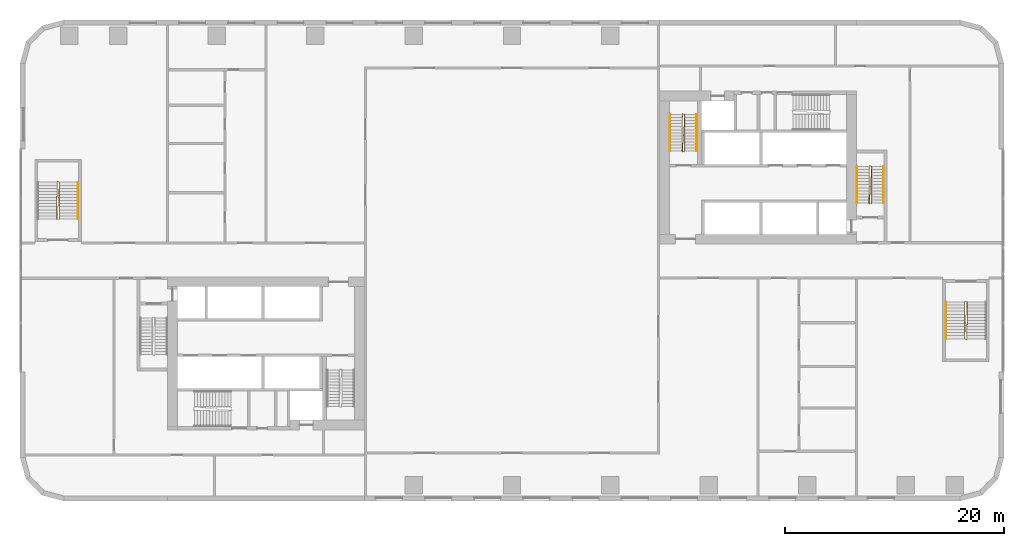
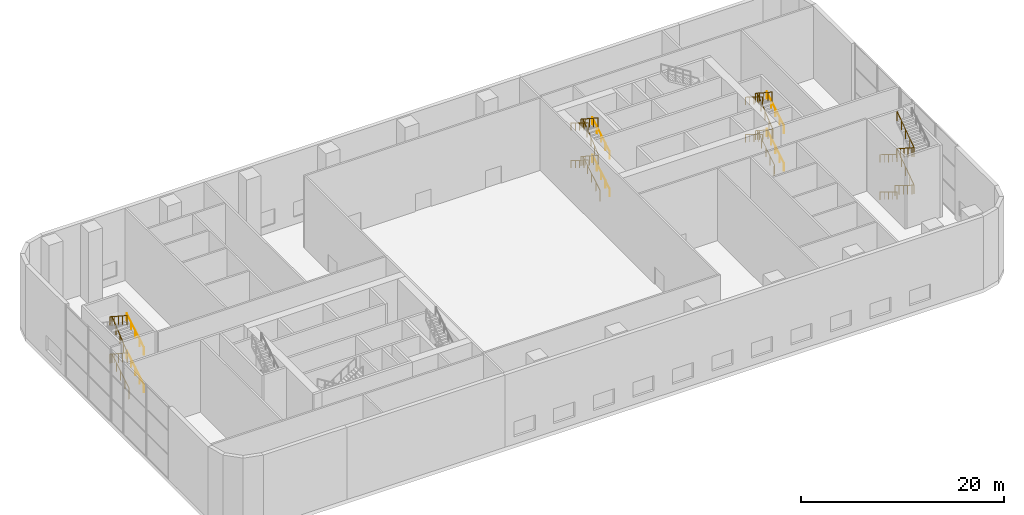
# One storey, part 23 of 24: 16 railings.
"""IFC4 building model written with IfcOpenShell, lengths in metres."""

from ifc_helpers import new_model, si_unit, direction, frame, origin, origin_2d, place, context, subcontext, project, spatial, circle, extrude, material, type_object, element, save


model = new_model("IFC4")

# Units and contexts
model_context = context("Model", 3, precision=1e-05, world=origin(), true_north=direction((0.0, 1.0)))
body_context = subcontext(model_context, "Body", "Model", "MODEL_VIEW")
ifc_project = project(units=[si_unit("LENGTHUNIT", "METRE"), si_unit("AREAUNIT", "SQUARE_METRE"), si_unit("VOLUMEUNIT", "CUBIC_METRE"), si_unit("PLANEANGLEUNIT", "RADIAN"), si_unit("MASSUNIT", "GRAM", prefix="KILO")], contexts=[model_context])

# Site, building, storey
site_placement = place(None, origin())
site = spatial("IfcSite", under=ifc_project, at=site_placement, CompositionType="ELEMENT")
building_placement = place(site_placement, origin())
building = spatial("IfcBuilding", under=site, at=building_placement, Name="Kajstack Hotel Tower", CompositionType="ELEMENT")
storey_placement = place(building_placement, frame((0.0, 0.0, 38.0)))
storey = spatial("IfcBuildingStorey", under=building, at=storey_placement, Name="L06", CompositionType="ELEMENT", Elevation=38.0)

# Railings
ifc_material = material(Name="Steel S355J2", Category="steel")
railing_type_1 = type_object("IfcRailingType", Name="Stair guard 1100", PredefinedType="GUARDRAIL", material=ifc_material)
railing_1_placement = place(storey_placement, frame((32.85009765625, 5.199951171875, 0.0)))
element("IfcRailing", 1, at=railing_1_placement, inside=storey, type_object=railing_type_1, Name="L06 E1 stair guard 1", PredefinedType="GUARDRAIL", context=body_context, shape_type="SweptSolid", body=[
    extrude(circle(Radius=0.02392578125, at=origin_2d()), frame((0.0, 0.0, 1.076171875), z_axis=(0.266417085129, 0.267723051232, 0.925929967433), x_axis=(-0.708833529934, 0.705375805398, 0.0)), (0.0, 0.0, 1.0), 0.18701171875),
    extrude(circle(Radius=0.02392578125, at=origin_2d()), frame((0.0498046875, 0.050048828125, 1.2490234375), z_axis=(0.0, 0.850623216509, 0.525775754039), x_axis=(-1.0, 0.0, 0.0)), (0.0, 0.0, 1.0), 3.9501953125),
    extrude(circle(Radius=0.02392578125, at=origin_2d()), frame((0.0498046875, 3.41015625, 3.326171875), z_axis=(-0.970351222016, 0.241699205484, 0.0), x_axis=(-0.241699205484, -0.970351222016, 0.0)), (0.0, 0.0, 1.0), 0.2060546875),
    extrude(circle(Radius=0.02392578125, at=origin_2d()), frame((-0.150146484375, 3.4599609375, 3.326171875), z_axis=(-0.012249917091, -0.834607765926, 0.550708467873), x_axis=(0.999892303572, -0.014675873289, 0.0)), (0.0, 0.0, 1.0), 4.085693359375),
    extrude(circle(Radius=0.02392578125, at=origin_2d()), frame((-0.2001953125, 0.050048828125, 5.576171875), z_axis=(0.707106781187, -0.707106781187, 0.0), x_axis=(0.707106781187, 0.707106781187, 0.0)), (0.0, 0.0, 1.0), 0.07080078125),
    extrude(circle(Radius=0.02392578125, at=origin_2d()), frame((-0.150146484375, 0.0, 5.576171875), z_axis=(0.048882636145, 0.833690673598, 0.55006394959), x_axis=(-0.998285445461, 0.058533489392, 0.0)), (0.0, 0.0, 1.0), 4.09033203125),
    extrude(circle(Radius=0.02392578125, at=origin_2d()), frame((0.0498046875, 3.41015625, 7.826171875), z_axis=(-0.970351222016, 0.241699205484, 0.0), x_axis=(-0.241699205484, -0.970351222016, 0.0)), (0.0, 0.0, 1.0), 0.2060546875),
    extrude(circle(Radius=0.02392578125, at=origin_2d()), frame((-0.150146484375, 3.4599609375, 7.826171875), z_axis=(-0.012249917091, -0.834607765926, 0.550708467873), x_axis=(0.999892303572, -0.014675873289, 0.0)), (0.0, 0.0, 1.0), 4.085693359375),
    extrude(circle(Radius=0.02099609375, at=origin_2d()), origin(), (0.0, 0.0, 1.0), 1.052001953125),
    extrude(circle(Radius=0.02099609375, at=origin_2d()), frame((0.0498046875, 0.050048828125, 0.173095703125)), (0.0, 0.0, 1.0), 1.052001953125),
    extrude(circle(Radius=0.02099609375, at=origin_2d()), frame((0.0498046875, 0.89013671875, 0.6923828125)), (0.0, 0.0, 1.0), 1.052001953125),
    extrude(circle(Radius=0.02099609375, at=origin_2d()), frame((0.0498046875, 1.72998046875, 1.21142578125)), (0.0, 0.0, 1.0), 1.052001953125),
    extrude(circle(Radius=0.02099609375, at=origin_2d()), frame((0.0498046875, 2.570068359375, 1.730712890625)), (0.0, 0.0, 1.0), 1.052001953125),
    extrude(circle(Radius=0.02099609375, at=origin_2d()), frame((0.0498046875, 3.41015625, 2.25)), (0.0, 0.0, 1.0), 1.052001953125),
    extrude(circle(Radius=0.02099609375, at=origin_2d()), frame((-0.150146484375, 3.4599609375, 2.25)), (0.0, 0.0, 1.0), 1.052001953125),
    extrude(circle(Radius=0.02099609375, at=origin_2d()), frame((-0.16259765625, 2.607421875, 2.8125)), (0.0, 0.0, 1.0), 1.052001953125),
    extrude(circle(Radius=0.02099609375, at=origin_2d()), frame((-0.17529296875, 1.7548828125, 3.375)), (0.0, 0.0, 1.0), 1.052001953125),
    extrude(circle(Radius=0.02099609375, at=origin_2d()), frame((-0.187744140625, 0.902587890625, 3.9375)), (0.0, 0.0, 1.0), 1.052001953125),
    extrude(circle(Radius=0.02099609375, at=origin_2d()), frame((-0.2001953125, 0.050048828125, 4.5)), (0.0, 0.0, 1.0), 1.052001953125),
    extrude(circle(Radius=0.02099609375, at=origin_2d()), frame((-0.150146484375, 0.0, 4.5)), (0.0, 0.0, 1.0), 1.052001953125),
    extrude(circle(Radius=0.02099609375, at=origin_2d()), frame((-0.10009765625, 0.8525390625, 5.0625)), (0.0, 0.0, 1.0), 1.052001953125),
    extrude(circle(Radius=0.02099609375, at=origin_2d()), frame((-0.05029296875, 1.705078125, 5.625)), (0.0, 0.0, 1.0), 1.052001953125),
    extrude(circle(Radius=0.02099609375, at=origin_2d()), frame((-0.000244140625, 2.5576171875, 6.1875)), (0.0, 0.0, 1.0), 1.052001953125),
    extrude(circle(Radius=0.02099609375, at=origin_2d()), frame((0.0498046875, 3.41015625, 6.75)), (0.0, 0.0, 1.0), 1.052001953125),
    extrude(circle(Radius=0.02099609375, at=origin_2d()), frame((-0.150146484375, 3.4599609375, 6.75)), (0.0, 0.0, 1.0), 1.052001953125),
    extrude(circle(Radius=0.02099609375, at=origin_2d()), frame((-0.16259765625, 2.607421875, 7.3125)), (0.0, 0.0, 1.0), 1.052001953125),
    extrude(circle(Radius=0.02099609375, at=origin_2d()), frame((-0.17529296875, 1.7548828125, 7.875)), (0.0, 0.0, 1.0), 1.052001953125),
    extrude(circle(Radius=0.02099609375, at=origin_2d()), frame((-0.187744140625, 0.902587890625, 8.4375)), (0.0, 0.0, 1.0), 1.052001953125),
    extrude(circle(Radius=0.02099609375, at=origin_2d()), frame((-0.2001953125, 0.050048828125, 9.0)), (0.0, 0.0, 1.0), 1.052001953125),
])
railing_2_placement = place(storey_placement, frame((15.75, 9.949951171875, 0.0)))
element("IfcRailing", 2, at=railing_2_placement, inside=storey, type_object=railing_type_1, Name="L06 E2 stair guard 1", PredefinedType="GUARDRAIL", context=body_context, shape_type="SweptSolid", body=[
    extrude(circle(Radius=0.02392578125, at=origin_2d()), frame((0.0, 0.0, 1.076171875), z_axis=(0.267629722418, 0.267629722418, 0.925607186314), x_axis=(-0.707106781187, 0.707106781187, 0.0)), (0.0, 0.0, 1.0), 0.18701171875),
    extrude(circle(Radius=0.02392578125, at=origin_2d()), frame((0.050048828125, 0.050048828125, 1.2490234375), z_axis=(0.0, 0.850623216509, 0.525775754039), x_axis=(-1.0, 0.0, 0.0)), (0.0, 0.0, 1.0), 3.9501953125),
    extrude(circle(Radius=0.02392578125, at=origin_2d()), frame((0.050048828125, 3.41015625, 3.326171875), z_axis=(-0.970351222016, 0.241699205484, 0.0), x_axis=(-0.241699205484, -0.970351222016, 0.0)), (0.0, 0.0, 1.0), 0.2060546875),
    extrude(circle(Radius=0.02392578125, at=origin_2d()), frame((-0.14990234375, 3.4599609375, 3.326171875), z_axis=(-0.012249917091, -0.834607765926, 0.550708467873), x_axis=(0.999892303572, -0.014675873289, 0.0)), (0.0, 0.0, 1.0), 4.085693359375),
    extrude(circle(Radius=0.02392578125, at=origin_2d()), frame((-0.199951171875, 0.050048828125, 5.576171875), z_axis=(0.707106781187, -0.707106781187, 0.0), x_axis=(0.707106781187, 0.707106781187, 0.0)), (0.0, 0.0, 1.0), 0.07080078125),
    extrude(circle(Radius=0.02392578125, at=origin_2d()), frame((-0.14990234375, 0.0, 5.576171875), z_axis=(0.048882636145, 0.833690673598, 0.55006394959), x_axis=(-0.998285445461, 0.058533489392, 0.0)), (0.0, 0.0, 1.0), 4.09033203125),
    extrude(circle(Radius=0.02392578125, at=origin_2d()), frame((0.050048828125, 3.41015625, 7.826171875), z_axis=(-0.970351222016, 0.241699205484, 0.0), x_axis=(-0.241699205484, -0.970351222016, 0.0)), (0.0, 0.0, 1.0), 0.2060546875),
    extrude(circle(Radius=0.02392578125, at=origin_2d()), frame((-0.14990234375, 3.4599609375, 7.826171875), z_axis=(-0.012249917091, -0.834607765926, 0.550708467873), x_axis=(0.999892303572, -0.014675873289, 0.0)), (0.0, 0.0, 1.0), 4.085693359375),
    extrude(circle(Radius=0.02099609375, at=origin_2d()), origin(), (0.0, 0.0, 1.0), 1.052001953125),
    extrude(circle(Radius=0.02099609375, at=origin_2d()), frame((0.050048828125, 0.050048828125, 0.173095703125)), (0.0, 0.0, 1.0), 1.052001953125),
    extrude(circle(Radius=0.02099609375, at=origin_2d()), frame((0.050048828125, 0.89013671875, 0.6923828125)), (0.0, 0.0, 1.0), 1.052001953125),
    extrude(circle(Radius=0.02099609375, at=origin_2d()), frame((0.050048828125, 1.72998046875, 1.21142578125)), (0.0, 0.0, 1.0), 1.052001953125),
    extrude(circle(Radius=0.02099609375, at=origin_2d()), frame((0.050048828125, 2.570068359375, 1.730712890625)), (0.0, 0.0, 1.0), 1.052001953125),
    extrude(circle(Radius=0.02099609375, at=origin_2d()), frame((0.050048828125, 3.41015625, 2.25)), (0.0, 0.0, 1.0), 1.052001953125),
    extrude(circle(Radius=0.02099609375, at=origin_2d()), frame((-0.14990234375, 3.4599609375, 2.25)), (0.0, 0.0, 1.0), 1.052001953125),
    extrude(circle(Radius=0.02099609375, at=origin_2d()), frame((-0.162353515625, 2.607421875, 2.8125)), (0.0, 0.0, 1.0), 1.052001953125),
    extrude(circle(Radius=0.02099609375, at=origin_2d()), frame((-0.1748046875, 1.7548828125, 3.375)), (0.0, 0.0, 1.0), 1.052001953125),
    extrude(circle(Radius=0.02099609375, at=origin_2d()), frame((-0.1875, 0.902587890625, 3.9375)), (0.0, 0.0, 1.0), 1.052001953125),
    extrude(circle(Radius=0.02099609375, at=origin_2d()), frame((-0.199951171875, 0.050048828125, 4.5)), (0.0, 0.0, 1.0), 1.052001953125),
    extrude(circle(Radius=0.02099609375, at=origin_2d()), frame((-0.14990234375, 0.0, 4.5)), (0.0, 0.0, 1.0), 1.052001953125),
    extrude(circle(Radius=0.02099609375, at=origin_2d()), frame((-0.099853515625, 0.8525390625, 5.0625)), (0.0, 0.0, 1.0), 1.052001953125),
    extrude(circle(Radius=0.02099609375, at=origin_2d()), frame((-0.0498046875, 1.705078125, 5.625)), (0.0, 0.0, 1.0), 1.052001953125),
    extrude(circle(Radius=0.02099609375, at=origin_2d()), frame((0.0, 2.5576171875, 6.1875)), (0.0, 0.0, 1.0), 1.052001953125),
    extrude(circle(Radius=0.02099609375, at=origin_2d()), frame((0.050048828125, 3.41015625, 6.75)), (0.0, 0.0, 1.0), 1.052001953125),
    extrude(circle(Radius=0.02099609375, at=origin_2d()), frame((-0.14990234375, 3.4599609375, 6.75)), (0.0, 0.0, 1.0), 1.052001953125),
    extrude(circle(Radius=0.02099609375, at=origin_2d()), frame((-0.162353515625, 2.607421875, 7.3125)), (0.0, 0.0, 1.0), 1.052001953125),
    extrude(circle(Radius=0.02099609375, at=origin_2d()), frame((-0.1748046875, 1.7548828125, 7.875)), (0.0, 0.0, 1.0), 1.052001953125),
    extrude(circle(Radius=0.02099609375, at=origin_2d()), frame((-0.1875, 0.902587890625, 8.4375)), (0.0, 0.0, 1.0), 1.052001953125),
    extrude(circle(Radius=0.02099609375, at=origin_2d()), frame((-0.199951171875, 0.050048828125, 9.0)), (0.0, 0.0, 1.0), 1.052001953125),
])
railing_3_placement = place(storey_placement, frame((-41.449951171875, 3.75, 0.0)))
element("IfcRailing", 3, at=railing_3_placement, inside=storey, type_object=railing_type_1, Name="L06 P1 stair guard 1", PredefinedType="GUARDRAIL", context=body_context, shape_type="SweptSolid", body=[
    extrude(circle(Radius=0.02392578125, at=origin_2d()), frame((0.0, 0.0, 1.076171875), z_axis=(0.267629722418, 0.267629722418, 0.925607186314), x_axis=(-0.707106781187, 0.707106781187, 0.0)), (0.0, 0.0, 1.0), 0.18701171875),
    extrude(circle(Radius=0.02392578125, at=origin_2d()), frame((0.050048828125, 0.050048828125, 1.2490234375), z_axis=(0.0, 0.850606129759, 0.525803396734), x_axis=(-1.0, 0.0, 0.0)), (0.0, 0.0, 1.0), 3.949951171875),
    extrude(circle(Radius=0.02392578125, at=origin_2d()), frame((0.050048828125, 3.409912109375, 3.326171875), z_axis=(-0.970142500145, 0.242535625036, 0.0), x_axis=(-0.242535625036, -0.970142500145, 0.0)), (0.0, 0.0, 1.0), 0.206298828125),
    extrude(circle(Radius=0.02392578125, at=origin_2d()), frame((-0.150146484375, 3.4599609375, 3.326171875), z_axis=(-0.0121901703, -0.834608375372, 0.55070887001), x_axis=(0.999893351539, -0.01460429897, 0.0)), (0.0, 0.0, 1.0), 4.085693359375),
    extrude(circle(Radius=0.02392578125, at=origin_2d()), frame((-0.199951171875, 0.050048828125, 5.576171875), z_axis=(0.705375805398, -0.708833529934, 0.0), x_axis=(0.708833529934, 0.705375805398, 0.0)), (0.0, 0.0, 1.0), 0.070556640625),
    extrude(circle(Radius=0.02392578125, at=origin_2d()), frame((-0.150146484375, 0.0, 5.576171875), z_axis=(0.04894461444, 0.833670036442, 0.550089715461), x_axis=(-0.998281021265, 0.05860889507, 0.0)), (0.0, 0.0, 1.0), 4.09033203125),
    extrude(circle(Radius=0.02392578125, at=origin_2d()), frame((0.050048828125, 3.409912109375, 7.826171875), z_axis=(-0.970142500145, 0.242535625036, 0.0), x_axis=(-0.242535625036, -0.970142500145, 0.0)), (0.0, 0.0, 1.0), 0.206298828125),
    extrude(circle(Radius=0.02392578125, at=origin_2d()), frame((-0.150146484375, 3.4599609375, 7.826171875), z_axis=(-0.0121901703, -0.834608375372, 0.55070887001), x_axis=(0.999893351539, -0.01460429897, 0.0)), (0.0, 0.0, 1.0), 4.085693359375),
    extrude(circle(Radius=0.02099609375, at=origin_2d()), origin(), (0.0, 0.0, 1.0), 1.052001953125),
    extrude(circle(Radius=0.02099609375, at=origin_2d()), frame((0.050048828125, 0.050048828125, 0.173095703125)), (0.0, 0.0, 1.0), 1.052001953125),
    extrude(circle(Radius=0.02099609375, at=origin_2d()), frame((0.050048828125, 0.89013671875, 0.6923828125)), (0.0, 0.0, 1.0), 1.052001953125),
    extrude(circle(Radius=0.02099609375, at=origin_2d()), frame((0.050048828125, 1.72998046875, 1.21142578125)), (0.0, 0.0, 1.0), 1.052001953125),
    extrude(circle(Radius=0.02099609375, at=origin_2d()), frame((0.050048828125, 2.56982421875, 1.730712890625)), (0.0, 0.0, 1.0), 1.052001953125),
    extrude(circle(Radius=0.02099609375, at=origin_2d()), frame((0.050048828125, 3.409912109375, 2.25)), (0.0, 0.0, 1.0), 1.052001953125),
    extrude(circle(Radius=0.02099609375, at=origin_2d()), frame((-0.150146484375, 3.4599609375, 2.25)), (0.0, 0.0, 1.0), 1.052001953125),
    extrude(circle(Radius=0.02099609375, at=origin_2d()), frame((-0.16259765625, 2.607421875, 2.8125)), (0.0, 0.0, 1.0), 1.052001953125),
    extrude(circle(Radius=0.02099609375, at=origin_2d()), frame((-0.175048828125, 1.7548828125, 3.375)), (0.0, 0.0, 1.0), 1.052001953125),
    extrude(circle(Radius=0.02099609375, at=origin_2d()), frame((-0.1875, 0.902587890625, 3.9375)), (0.0, 0.0, 1.0), 1.052001953125),
    extrude(circle(Radius=0.02099609375, at=origin_2d()), frame((-0.199951171875, 0.050048828125, 4.5)), (0.0, 0.0, 1.0), 1.052001953125),
    extrude(circle(Radius=0.02099609375, at=origin_2d()), frame((-0.150146484375, 0.0, 4.5)), (0.0, 0.0, 1.0), 1.052001953125),
    extrude(circle(Radius=0.02099609375, at=origin_2d()), frame((-0.10009765625, 0.8525390625, 5.0625)), (0.0, 0.0, 1.0), 1.052001953125),
    extrude(circle(Radius=0.02099609375, at=origin_2d()), frame((-0.050048828125, 1.705078125, 5.625)), (0.0, 0.0, 1.0), 1.052001953125),
    extrude(circle(Radius=0.02099609375, at=origin_2d()), frame((0.0, 2.557373046875, 6.1875)), (0.0, 0.0, 1.0), 1.052001953125),
    extrude(circle(Radius=0.02099609375, at=origin_2d()), frame((0.050048828125, 3.409912109375, 6.75)), (0.0, 0.0, 1.0), 1.052001953125),
    extrude(circle(Radius=0.02099609375, at=origin_2d()), frame((-0.150146484375, 3.4599609375, 6.75)), (0.0, 0.0, 1.0), 1.052001953125),
    extrude(circle(Radius=0.02099609375, at=origin_2d()), frame((-0.16259765625, 2.607421875, 7.3125)), (0.0, 0.0, 1.0), 1.052001953125),
    extrude(circle(Radius=0.02099609375, at=origin_2d()), frame((-0.175048828125, 1.7548828125, 7.875)), (0.0, 0.0, 1.0), 1.052001953125),
    extrude(circle(Radius=0.02099609375, at=origin_2d()), frame((-0.1875, 0.902587890625, 8.4375)), (0.0, 0.0, 1.0), 1.052001953125),
    extrude(circle(Radius=0.02099609375, at=origin_2d()), frame((-0.199951171875, 0.050048828125, 9.0)), (0.0, 0.0, 1.0), 1.052001953125),
])
railing_4_placement = place(storey_placement, frame((41.449951171875, -3.75, 0.0)))
element("IfcRailing", 4, at=railing_4_placement, inside=storey, type_object=railing_type_1, Name="L06 P2 stair guard 1", PredefinedType="GUARDRAIL", context=body_context, shape_type="SweptSolid", body=[
    extrude(circle(Radius=0.02392578125, at=origin_2d()), frame((0.0, 0.0, 1.076171875), z_axis=(-0.267629722418, -0.267629722418, 0.925607186314), x_axis=(0.707106781187, -0.707106781187, 0.0)), (0.0, 0.0, 1.0), 0.18701171875),
    extrude(circle(Radius=0.02392578125, at=origin_2d()), frame((-0.050048828125, -0.050048828125, 1.2490234375), z_axis=(0.0, -0.850606129759, 0.525803396734), x_axis=(1.0, 0.0, 0.0)), (0.0, 0.0, 1.0), 3.949951171875),
    extrude(circle(Radius=0.02392578125, at=origin_2d()), frame((-0.050048828125, -3.409912109375, 3.326171875), z_axis=(0.970142500145, -0.242535625036, 0.0), x_axis=(0.242535625036, 0.970142500145, 0.0)), (0.0, 0.0, 1.0), 0.206298828125),
    extrude(circle(Radius=0.02392578125, at=origin_2d()), frame((0.150146484375, -3.4599609375, 3.326171875), z_axis=(0.0121901703, 0.834608375372, 0.55070887001), x_axis=(-0.999893351539, 0.01460429897, 0.0)), (0.0, 0.0, 1.0), 4.085693359375),
    extrude(circle(Radius=0.02392578125, at=origin_2d()), frame((0.199951171875, -0.050048828125, 5.576171875), z_axis=(-0.705375805398, 0.708833529934, 0.0), x_axis=(-0.708833529934, -0.705375805398, 0.0)), (0.0, 0.0, 1.0), 0.070556640625),
    extrude(circle(Radius=0.02392578125, at=origin_2d()), frame((0.150146484375, 0.0, 5.576171875), z_axis=(-0.04894461444, -0.833670036442, 0.550089715461), x_axis=(0.998281021265, -0.05860889507, 0.0)), (0.0, 0.0, 1.0), 4.09033203125),
    extrude(circle(Radius=0.02392578125, at=origin_2d()), frame((-0.050048828125, -3.409912109375, 7.826171875), z_axis=(0.970142500145, -0.242535625036, 0.0), x_axis=(0.242535625036, 0.970142500145, 0.0)), (0.0, 0.0, 1.0), 0.206298828125),
    extrude(circle(Radius=0.02392578125, at=origin_2d()), frame((0.150146484375, -3.4599609375, 7.826171875), z_axis=(0.0121901703, 0.834608375372, 0.55070887001), x_axis=(-0.999893351539, 0.01460429897, 0.0)), (0.0, 0.0, 1.0), 4.085693359375),
    extrude(circle(Radius=0.02099609375, at=origin_2d()), origin(), (0.0, 0.0, 1.0), 1.052001953125),
    extrude(circle(Radius=0.02099609375, at=origin_2d()), frame((-0.050048828125, -0.050048828125, 0.173095703125)), (0.0, 0.0, 1.0), 1.052001953125),
    extrude(circle(Radius=0.02099609375, at=origin_2d()), frame((-0.050048828125, -0.89013671875, 0.6923828125)), (0.0, 0.0, 1.0), 1.052001953125),
    extrude(circle(Radius=0.02099609375, at=origin_2d()), frame((-0.050048828125, -1.72998046875, 1.21142578125)), (0.0, 0.0, 1.0), 1.052001953125),
    extrude(circle(Radius=0.02099609375, at=origin_2d()), frame((-0.050048828125, -2.56982421875, 1.730712890625)), (0.0, 0.0, 1.0), 1.052001953125),
    extrude(circle(Radius=0.02099609375, at=origin_2d()), frame((-0.050048828125, -3.409912109375, 2.25)), (0.0, 0.0, 1.0), 1.052001953125),
    extrude(circle(Radius=0.02099609375, at=origin_2d()), frame((0.150146484375, -3.4599609375, 2.25)), (0.0, 0.0, 1.0), 1.052001953125),
    extrude(circle(Radius=0.02099609375, at=origin_2d()), frame((0.16259765625, -2.607421875, 2.8125)), (0.0, 0.0, 1.0), 1.052001953125),
    extrude(circle(Radius=0.02099609375, at=origin_2d()), frame((0.175048828125, -1.7548828125, 3.375)), (0.0, 0.0, 1.0), 1.052001953125),
    extrude(circle(Radius=0.02099609375, at=origin_2d()), frame((0.1875, -0.902587890625, 3.9375)), (0.0, 0.0, 1.0), 1.052001953125),
    extrude(circle(Radius=0.02099609375, at=origin_2d()), frame((0.199951171875, -0.050048828125, 4.5)), (0.0, 0.0, 1.0), 1.052001953125),
    extrude(circle(Radius=0.02099609375, at=origin_2d()), frame((0.150146484375, 0.0, 4.5)), (0.0, 0.0, 1.0), 1.052001953125),
    extrude(circle(Radius=0.02099609375, at=origin_2d()), frame((0.10009765625, -0.8525390625, 5.0625)), (0.0, 0.0, 1.0), 1.052001953125),
    extrude(circle(Radius=0.02099609375, at=origin_2d()), frame((0.050048828125, -1.705078125, 5.625)), (0.0, 0.0, 1.0), 1.052001953125),
    extrude(circle(Radius=0.02099609375, at=origin_2d()), frame((0.0, -2.557373046875, 6.1875)), (0.0, 0.0, 1.0), 1.052001953125),
    extrude(circle(Radius=0.02099609375, at=origin_2d()), frame((-0.050048828125, -3.409912109375, 6.75)), (0.0, 0.0, 1.0), 1.052001953125),
    extrude(circle(Radius=0.02099609375, at=origin_2d()), frame((0.150146484375, -3.4599609375, 6.75)), (0.0, 0.0, 1.0), 1.052001953125),
    extrude(circle(Radius=0.02099609375, at=origin_2d()), frame((0.16259765625, -2.607421875, 7.3125)), (0.0, 0.0, 1.0), 1.052001953125),
    extrude(circle(Radius=0.02099609375, at=origin_2d()), frame((0.175048828125, -1.7548828125, 7.875)), (0.0, 0.0, 1.0), 1.052001953125),
    extrude(circle(Radius=0.02099609375, at=origin_2d()), frame((0.1875, -0.902587890625, 8.4375)), (0.0, 0.0, 1.0), 1.052001953125),
    extrude(circle(Radius=0.02099609375, at=origin_2d()), frame((0.199951171875, -0.050048828125, 9.0)), (0.0, 0.0, 1.0), 1.052001953125),
])
railing_type_2 = type_object("IfcRailingType", Name="Stair handrail 900", PredefinedType="HANDRAIL", material=ifc_material)
railing_5_placement = place(storey_placement, frame((34.0, 5.25, 0.173095703125)))
element("IfcRailing", 5, at=railing_5_placement, inside=storey, type_object=railing_type_2, Name="L06 E1 stair handrail 1", PredefinedType="HANDRAIL", context=body_context, shape_type="SweptSolid", body=[
    extrude(circle(Radius=0.02392578125, at=origin_2d()), frame((0.0, 0.0, 0.8759765625), z_axis=(0.0, 0.850623216509, 0.525775754039), x_axis=(-1.0, 0.0, 0.0)), (0.0, 0.0, 1.0), 3.9501953125),
    extrude(circle(Radius=0.02099609375, at=origin_2d()), origin(), (0.0, 0.0, 1.0), 0.851806640625),
    extrude(circle(Radius=0.02099609375, at=origin_2d()), frame((0.0, 0.840087890625, 0.519287109375)), (0.0, 0.0, 1.0), 0.851806640625),
    extrude(circle(Radius=0.02099609375, at=origin_2d()), frame((0.0, 1.68017578125, 1.03857421875)), (0.0, 0.0, 1.0), 0.851806640625),
    extrude(circle(Radius=0.02099609375, at=origin_2d()), frame((0.0, 2.52001953125, 1.5576171875)), (0.0, 0.0, 1.0), 0.851806640625),
    extrude(circle(Radius=0.02099609375, at=origin_2d()), frame((0.0, 3.360107421875, 2.076904296875)), (0.0, 0.0, 1.0), 0.851806640625),
])
railing_6_placement = place(storey_placement, frame((31.550048828125, 8.610107421875, 2.423095703125)))
element("IfcRailing", 6, at=railing_6_placement, inside=storey, type_object=railing_type_2, Name="L06 E1 stair handrail 2", PredefinedType="HANDRAIL", context=body_context, shape_type="SweptSolid", body=[
    extrude(circle(Radius=0.02392578125, at=origin_2d()), frame((0.0, 0.0, 0.8759765625), z_axis=(0.0, -0.850623216509, 0.525775754039), x_axis=(1.0, 0.0, 0.0)), (0.0, 0.0, 1.0), 3.9501953125),
    extrude(circle(Radius=0.02099609375, at=origin_2d()), origin(), (0.0, 0.0, 1.0), 0.851806640625),
    extrude(circle(Radius=0.02099609375, at=origin_2d()), frame((0.0, -0.840087890625, 0.519287109375)), (0.0, 0.0, 1.0), 0.851806640625),
    extrude(circle(Radius=0.02099609375, at=origin_2d()), frame((0.0, -1.68017578125, 1.03857421875)), (0.0, 0.0, 1.0), 0.851806640625),
    extrude(circle(Radius=0.02099609375, at=origin_2d()), frame((0.0, -2.52001953125, 1.5576171875)), (0.0, 0.0, 1.0), 0.851806640625),
    extrude(circle(Radius=0.02099609375, at=origin_2d()), frame((0.0, -3.360107421875, 2.076904296875)), (0.0, 0.0, 1.0), 0.851806640625),
])
railing_7_placement = place(storey_placement, frame((34.0, 5.25, 4.673095703125)))
element("IfcRailing", 7, at=railing_7_placement, inside=storey, type_object=railing_type_2, Name="L06 E1 stair handrail 3", PredefinedType="HANDRAIL", context=body_context, shape_type="SweptSolid", body=[
    extrude(circle(Radius=0.02392578125, at=origin_2d()), frame((0.0, 0.0, 0.8759765625), z_axis=(0.0, 0.850623216509, 0.525775754039), x_axis=(-1.0, 0.0, 0.0)), (0.0, 0.0, 1.0), 3.9501953125),
    extrude(circle(Radius=0.02099609375, at=origin_2d()), origin(), (0.0, 0.0, 1.0), 0.851806640625),
    extrude(circle(Radius=0.02099609375, at=origin_2d()), frame((0.0, 0.840087890625, 0.519287109375)), (0.0, 0.0, 1.0), 0.851806640625),
    extrude(circle(Radius=0.02099609375, at=origin_2d()), frame((0.0, 1.68017578125, 1.03857421875)), (0.0, 0.0, 1.0), 0.851806640625),
    extrude(circle(Radius=0.02099609375, at=origin_2d()), frame((0.0, 2.52001953125, 1.5576171875)), (0.0, 0.0, 1.0), 0.851806640625),
    extrude(circle(Radius=0.02099609375, at=origin_2d()), frame((0.0, 3.360107421875, 2.076904296875)), (0.0, 0.0, 1.0), 0.851806640625),
])
railing_8_placement = place(storey_placement, frame((31.550048828125, 8.610107421875, 6.923095703125)))
element("IfcRailing", 8, at=railing_8_placement, inside=storey, type_object=railing_type_2, Name="L06 E1 stair handrail 4", PredefinedType="HANDRAIL", context=body_context, shape_type="SweptSolid", body=[
    extrude(circle(Radius=0.02392578125, at=origin_2d()), frame((0.0, 0.0, 0.8759765625), z_axis=(0.0, -0.850623216509, 0.525775754039), x_axis=(1.0, 0.0, 0.0)), (0.0, 0.0, 1.0), 3.9501953125),
    extrude(circle(Radius=0.02099609375, at=origin_2d()), origin(), (0.0, 0.0, 1.0), 0.851806640625),
    extrude(circle(Radius=0.02099609375, at=origin_2d()), frame((0.0, -0.840087890625, 0.519287109375)), (0.0, 0.0, 1.0), 0.851806640625),
    extrude(circle(Radius=0.02099609375, at=origin_2d()), frame((0.0, -1.68017578125, 1.03857421875)), (0.0, 0.0, 1.0), 0.851806640625),
    extrude(circle(Radius=0.02099609375, at=origin_2d()), frame((0.0, -2.52001953125, 1.5576171875)), (0.0, 0.0, 1.0), 0.851806640625),
    extrude(circle(Radius=0.02099609375, at=origin_2d()), frame((0.0, -3.360107421875, 2.076904296875)), (0.0, 0.0, 1.0), 0.851806640625),
])
railing_9_placement = place(storey_placement, frame((16.89990234375, 10.0, 0.173095703125)))
element("IfcRailing", 9, at=railing_9_placement, inside=storey, type_object=railing_type_2, Name="L06 E2 stair handrail 1", PredefinedType="HANDRAIL", context=body_context, shape_type="SweptSolid", body=[
    extrude(circle(Radius=0.02392578125, at=origin_2d()), frame((0.0, 0.0, 0.8759765625), z_axis=(0.0, 0.850623216509, 0.525775754039), x_axis=(-1.0, 0.0, 0.0)), (0.0, 0.0, 1.0), 3.9501953125),
    extrude(circle(Radius=0.02099609375, at=origin_2d()), origin(), (0.0, 0.0, 1.0), 0.851806640625),
    extrude(circle(Radius=0.02099609375, at=origin_2d()), frame((0.0, 0.840087890625, 0.519287109375)), (0.0, 0.0, 1.0), 0.851806640625),
    extrude(circle(Radius=0.02099609375, at=origin_2d()), frame((0.0, 1.68017578125, 1.03857421875)), (0.0, 0.0, 1.0), 0.851806640625),
    extrude(circle(Radius=0.02099609375, at=origin_2d()), frame((0.0, 2.52001953125, 1.5576171875)), (0.0, 0.0, 1.0), 0.851806640625),
    extrude(circle(Radius=0.02099609375, at=origin_2d()), frame((0.0, 3.360107421875, 2.076904296875)), (0.0, 0.0, 1.0), 0.851806640625),
])
railing_10_placement = place(storey_placement, frame((14.449951171875, 13.360107421875, 2.423095703125)))
element("IfcRailing", 10, at=railing_10_placement, inside=storey, type_object=railing_type_2, Name="L06 E2 stair handrail 2", PredefinedType="HANDRAIL", context=body_context, shape_type="SweptSolid", body=[
    extrude(circle(Radius=0.02392578125, at=origin_2d()), frame((0.0, 0.0, 0.8759765625), z_axis=(0.0, -0.850623216509, 0.525775754039), x_axis=(1.0, 0.0, 0.0)), (0.0, 0.0, 1.0), 3.9501953125),
    extrude(circle(Radius=0.02099609375, at=origin_2d()), origin(), (0.0, 0.0, 1.0), 0.851806640625),
    extrude(circle(Radius=0.02099609375, at=origin_2d()), frame((0.0, -0.840087890625, 0.519287109375)), (0.0, 0.0, 1.0), 0.851806640625),
    extrude(circle(Radius=0.02099609375, at=origin_2d()), frame((0.0, -1.68017578125, 1.03857421875)), (0.0, 0.0, 1.0), 0.851806640625),
    extrude(circle(Radius=0.02099609375, at=origin_2d()), frame((0.0, -2.52001953125, 1.5576171875)), (0.0, 0.0, 1.0), 0.851806640625),
    extrude(circle(Radius=0.02099609375, at=origin_2d()), frame((0.0, -3.360107421875, 2.076904296875)), (0.0, 0.0, 1.0), 0.851806640625),
])
railing_11_placement = place(storey_placement, frame((16.89990234375, 10.0, 4.673095703125)))
element("IfcRailing", 11, at=railing_11_placement, inside=storey, type_object=railing_type_2, Name="L06 E2 stair handrail 3", PredefinedType="HANDRAIL", context=body_context, shape_type="SweptSolid", body=[
    extrude(circle(Radius=0.02392578125, at=origin_2d()), frame((0.0, 0.0, 0.8759765625), z_axis=(0.0, 0.850623216509, 0.525775754039), x_axis=(-1.0, 0.0, 0.0)), (0.0, 0.0, 1.0), 3.9501953125),
    extrude(circle(Radius=0.02099609375, at=origin_2d()), origin(), (0.0, 0.0, 1.0), 0.851806640625),
    extrude(circle(Radius=0.02099609375, at=origin_2d()), frame((0.0, 0.840087890625, 0.519287109375)), (0.0, 0.0, 1.0), 0.851806640625),
    extrude(circle(Radius=0.02099609375, at=origin_2d()), frame((0.0, 1.68017578125, 1.03857421875)), (0.0, 0.0, 1.0), 0.851806640625),
    extrude(circle(Radius=0.02099609375, at=origin_2d()), frame((0.0, 2.52001953125, 1.5576171875)), (0.0, 0.0, 1.0), 0.851806640625),
    extrude(circle(Radius=0.02099609375, at=origin_2d()), frame((0.0, 3.360107421875, 2.076904296875)), (0.0, 0.0, 1.0), 0.851806640625),
])
railing_12_placement = place(storey_placement, frame((14.449951171875, 13.360107421875, 6.923095703125)))
element("IfcRailing", 12, at=railing_12_placement, inside=storey, type_object=railing_type_2, Name="L06 E2 stair handrail 4", PredefinedType="HANDRAIL", context=body_context, shape_type="SweptSolid", body=[
    extrude(circle(Radius=0.02392578125, at=origin_2d()), frame((0.0, 0.0, 0.8759765625), z_axis=(0.0, -0.850623216509, 0.525775754039), x_axis=(1.0, 0.0, 0.0)), (0.0, 0.0, 1.0), 3.9501953125),
    extrude(circle(Radius=0.02099609375, at=origin_2d()), origin(), (0.0, 0.0, 1.0), 0.851806640625),
    extrude(circle(Radius=0.02099609375, at=origin_2d()), frame((0.0, -0.840087890625, 0.519287109375)), (0.0, 0.0, 1.0), 0.851806640625),
    extrude(circle(Radius=0.02099609375, at=origin_2d()), frame((0.0, -1.68017578125, 1.03857421875)), (0.0, 0.0, 1.0), 0.851806640625),
    extrude(circle(Radius=0.02099609375, at=origin_2d()), frame((0.0, -2.52001953125, 1.5576171875)), (0.0, 0.0, 1.0), 0.851806640625),
    extrude(circle(Radius=0.02099609375, at=origin_2d()), frame((0.0, -3.360107421875, 2.076904296875)), (0.0, 0.0, 1.0), 0.851806640625),
])
for number, where, name in (
    (13, (-39.699951171875, 3.800048828125, 0.173095703125), "L06 P1 stair handrail 1"),
    (14, (-39.699951171875, 3.800048828125, 4.673095703125), "L06 P1 stair handrail 3"),
):
    element("IfcRailing", number, at=place(storey_placement, frame(where)), inside=storey, type_object=railing_type_2, Name=name, PredefinedType="HANDRAIL", context=body_context, shape_type="SweptSolid", body=[
        extrude(circle(Radius=0.02392578125, at=origin_2d()), frame((0.0, 0.0, 0.8759765625), z_axis=(0.0, 0.850606129759, 0.525803396734), x_axis=(-1.0, 0.0, 0.0)), (0.0, 0.0, 1.0), 3.949951171875),
        extrude(circle(Radius=0.02099609375, at=origin_2d()), origin(), (0.0, 0.0, 1.0), 0.851806640625),
        extrude(circle(Radius=0.02099609375, at=origin_2d()), frame((0.0, 0.83984375, 0.519287109375)), (0.0, 0.0, 1.0), 0.851806640625),
        extrude(circle(Radius=0.02099609375, at=origin_2d()), frame((0.0, 1.679931640625, 1.03857421875)), (0.0, 0.0, 1.0), 0.851806640625),
        extrude(circle(Radius=0.02099609375, at=origin_2d()), frame((0.0, 2.52001953125, 1.5576171875)), (0.0, 0.0, 1.0), 0.851806640625),
        extrude(circle(Radius=0.02099609375, at=origin_2d()), frame((0.0, 3.35986328125, 2.076904296875)), (0.0, 0.0, 1.0), 0.851806640625),
    ])
for number, where, name in (
    (15, (39.699951171875, -3.800048828125, 0.173095703125), "L06 P2 stair handrail 1"),
    (16, (39.699951171875, -3.800048828125, 4.673095703125), "L06 P2 stair handrail 3"),
):
    element("IfcRailing", number, at=place(storey_placement, frame(where)), inside=storey, type_object=railing_type_2, Name=name, PredefinedType="HANDRAIL", context=body_context, shape_type="SweptSolid", body=[
        extrude(circle(Radius=0.02392578125, at=origin_2d()), frame((0.0, 0.0, 0.8759765625), z_axis=(0.0, -0.850606129759, 0.525803396734), x_axis=(1.0, 0.0, 0.0)), (0.0, 0.0, 1.0), 3.949951171875),
        extrude(circle(Radius=0.02099609375, at=origin_2d()), origin(), (0.0, 0.0, 1.0), 0.851806640625),
        extrude(circle(Radius=0.02099609375, at=origin_2d()), frame((0.0, -0.83984375, 0.519287109375)), (0.0, 0.0, 1.0), 0.851806640625),
        extrude(circle(Radius=0.02099609375, at=origin_2d()), frame((0.0, -1.679931640625, 1.03857421875)), (0.0, 0.0, 1.0), 0.851806640625),
        extrude(circle(Radius=0.02099609375, at=origin_2d()), frame((0.0, -2.52001953125, 1.5576171875)), (0.0, 0.0, 1.0), 0.851806640625),
        extrude(circle(Radius=0.02099609375, at=origin_2d()), frame((0.0, -3.35986328125, 2.076904296875)), (0.0, 0.0, 1.0), 0.851806640625),
    ])

save(model, "model.ifc")
